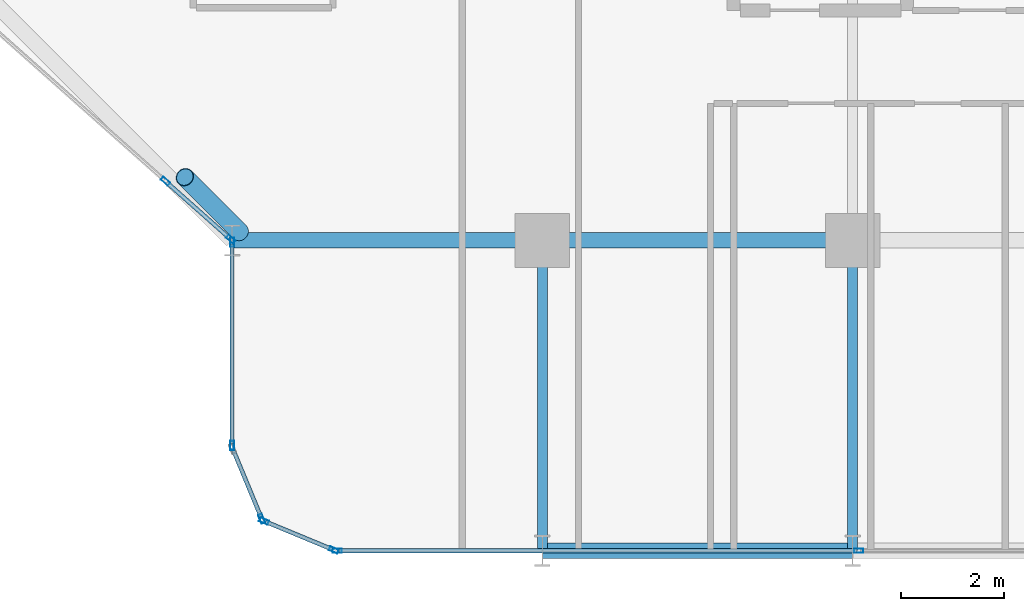
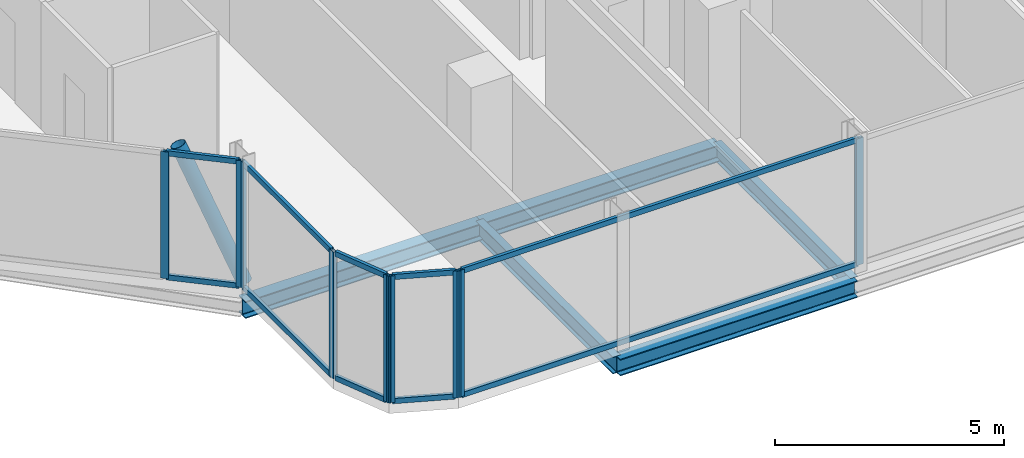
# One storey, part 4 of 29: 20 members, 5 beams, 5 elements without a shape of their own.
"""IFC4 building model written with IfcOpenShell, lengths in metres."""

from ifc_helpers import new_model, si_unit, direction, frame, origin, origin_2d, place, context, subcontext, project, spatial, hollow_rectangle, hollow_circle, i_section, extrude, material, layer, layer_set, material_profile, profile_set, type_object, element, aggregate, save


model = new_model("IFC4")

# Units and contexts
model_context = context("Model", 3, precision=1e-05, world=origin(), true_north=direction((0.0, 1.0)))
body_context = subcontext(model_context, "Body", "Model", "MODEL_VIEW")
ifc_project = project(units=[si_unit("LENGTHUNIT", "METRE"), si_unit("AREAUNIT", "SQUARE_METRE"), si_unit("VOLUMEUNIT", "CUBIC_METRE"), si_unit("PLANEANGLEUNIT", "RADIAN"), si_unit("MASSUNIT", "GRAM", prefix="KILO")], contexts=[model_context])

# Site, building, storey
site_placement = place(None, origin())
site = spatial("IfcSite", under=ifc_project, at=site_placement, CompositionType="ELEMENT")
building_placement = place(site_placement, origin())
building = spatial("IfcBuilding", under=site, at=building_placement, Name="Keshet Zoharim Tower", CompositionType="ELEMENT")
storey_placement = place(building_placement, frame((0.0, 0.0, 98.300048828125)))
storey = spatial("IfcBuildingStorey", under=building, at=storey_placement, Name="L23", CompositionType="ELEMENT", Elevation=98.300048828125)

# Beams
ifc_material_1 = material(Name="Steel S355", Category="steel")
ifc_material_profile_1 = material_profile(ifc_material_1, i_section(OverallWidth=0.18994140625, OverallDepth=0.449951171875, WebThickness=0.009521484375, FlangeThickness=0.0146484375, FilletRadius=0.02099609375, at=origin_2d()), Name="IPE450")
ifc_profile_set_1 = profile_set([ifc_material_profile_1], Name="Steel S355")
beam_type_1 = type_object("IfcBeamType", Name="BM-PRI-IP450", PredefinedType="BEAM", material=ifc_profile_set_1)
for number, where, z_axis, x_axis, name in (
    (1, (27.0, 0.699951171875, -0.5400390625), (0.0, 1.0, 0.0), (-1.0, 0.0, 0.0), "L23 Primary Girder Y-004"),
    (2, (33.0, 0.699951171875, -0.5400390625), (0.0, 1.0, 0.0), (-1.0, 0.0, 0.0), "L23 Primary Girder Y-005"),
):
    element("IfcBeam", number, at=place(storey_placement, frame(where, z_axis=z_axis, x_axis=x_axis)), inside=storey, type_object=beam_type_1, Name=name, PredefinedType="BEAM", context=body_context, shape_type="SweptSolid", body=[
        extrude(i_section(OverallWidth=0.18994140625, OverallDepth=0.449951171875, WebThickness=0.009521484375, FlangeThickness=0.0146484375, FilletRadius=0.02099609375, at=origin_2d()), origin(), (0.0, 0.0, 1.0), 6.0),
    ])
ifc_material_profile_2 = material_profile(ifc_material_1, i_section(OverallWidth=0.300048828125, OverallDepth=0.449951171875, WebThickness=0.013916015625, FlangeThickness=0.02587890625, FilletRadius=0.027099609375, at=origin_2d()), Name="HEB450")
ifc_profile_set_2 = profile_set([ifc_material_profile_2], Name="Steel S355")
beam_type_2 = type_object("IfcBeamType", Name="BM-WEB-HB450", PredefinedType="BEAM", material=ifc_profile_set_2)
for number, where, z_axis, x_axis, name in (
    (3, (27.0, 0.699951171875, -0.5400390625), (1.0, 0.0, 0.0), (0.0, 1.0, 0.0), "L23 Primary Girder X-001"),
    (4, (21.0, 6.699951171875, -0.5400390625), (1.0, 0.0, 0.0), (0.0, 1.0, 0.0), "L23 Primary Girder X-005"),
    (5, (27.0, 6.699951171875, -0.5400390625), (1.0, 0.0, 0.0), (0.0, 1.0, 0.0), "L23 Primary Girder X-006"),
):
    element("IfcBeam", number, at=place(storey_placement, frame(where, z_axis=z_axis, x_axis=x_axis)), inside=storey, type_object=beam_type_2, Name=name, PredefinedType="BEAM", context=body_context, shape_type="SweptSolid", body=[
        extrude(i_section(OverallWidth=0.300048828125, OverallDepth=0.449951171875, WebThickness=0.013916015625, FlangeThickness=0.02587890625, FilletRadius=0.027099609375, at=origin_2d()), origin(), (0.0, 0.0, 1.0), 6.0),
    ])

# Curtain wall, members
ifc_material_2 = material(Name="Aluminium 6063-T6", Category="aluminium")
ifc_layer = layer(ifc_material_2, 0.159912109375)
ifc_layer_set = layer_set([ifc_layer], Name="Aluminium 6063-T6")
curtain_wall_type = type_object("IfcCurtainWallType", Name="CW-SYS-03", PredefinedType="NOTDEFINED", material=ifc_layer_set)
curtain_wall_1_placement = place(storey_placement, origin())
curtain_wall_1 = element("IfcCurtainWall", 6, at=curtain_wall_1_placement, inside=storey, type_object=curtain_wall_type, Name="L23 Unitised Curtain Wall 03 Part 3", PredefinedType="NOTDEFINED")
ifc_material_profile_3 = material_profile(ifc_material_2, hollow_rectangle(XDim=0.080078125, YDim=0.179931640625, WallThickness=0.00439453125, at=origin_2d()), Name="MUL-80x180")
ifc_profile_set_3 = profile_set([ifc_material_profile_3], Name="Aluminium 6063-T6")
member_type_1 = type_object("IfcMemberType", Name="CWM-M18", PredefinedType="MULLION", material=ifc_profile_set_3)
member_1_placement = place(storey_placement, frame((33.11865234375, 0.699951171875, 0.0), z_axis=(0.0, 0.0, 1.0), x_axis=(0.0, -1.0, 0.0)))
member_1 = element("IfcMember", 7, at=member_1_placement, type_object=member_type_1, Name="CW-03 mullion 2", PredefinedType="MULLION", context=body_context, shape_type="SweptSolid", body=[
    extrude(hollow_rectangle(XDim=0.080078125, YDim=0.179931640625, WallThickness=0.00439453125, at=origin_2d()), origin(), (0.0, 0.0, 1.0), 3.385009765625),
])
member_2_placement = place(storey_placement, frame((23.034912109375, 0.699951171875, 0.0), z_axis=(0.0, 0.0, 1.0), x_axis=(0.0, -1.0, 0.0)))
member_2 = element("IfcMember", 8, at=member_2_placement, type_object=member_type_1, Name="CW-03 mullion 3", PredefinedType="MULLION", context=body_context, shape_type="SweptSolid", body=[
    extrude(hollow_rectangle(XDim=0.080078125, YDim=0.179931640625, WallThickness=0.00439453125, at=origin_2d()), origin(), (0.0, 0.0, 1.0), 3.385009765625),
])

curtain_wall_2_placement = place(storey_placement, origin())
curtain_wall_2 = element("IfcCurtainWall", 9, at=curtain_wall_2_placement, inside=storey, type_object=curtain_wall_type, Name="L23 Unitised Curtain Wall 04", PredefinedType="NOTDEFINED")
member_3_placement = place(storey_placement, frame((22.9677734375, 0.71337890625, 0.0), z_axis=(0.0, 0.0, 1.0), x_axis=(-0.382851849847, -0.92380975372, 0.0)))
member_3 = element("IfcMember", 10, at=member_3_placement, type_object=member_type_1, Name="CW-03 mullion 1", PredefinedType="MULLION", context=body_context, shape_type="SweptSolid", body=[
    extrude(hollow_rectangle(XDim=0.080078125, YDim=0.179931640625, WallThickness=0.00439453125, at=origin_2d()), origin(), (0.0, 0.0, 1.0), 3.385009765625),
])
member_4_placement = place(storey_placement, frame((21.618408203125, 1.272705078125, 0.0), z_axis=(0.0, 0.0, 1.0), x_axis=(-0.382851849847, -0.92380975372, 0.0)))
member_4 = element("IfcMember", 11, at=member_4_placement, type_object=member_type_1, Name="CW-03 mullion 2", PredefinedType="MULLION", context=body_context, shape_type="SweptSolid", body=[
    extrude(hollow_rectangle(XDim=0.080078125, YDim=0.179931640625, WallThickness=0.00439453125, at=origin_2d()), origin(), (0.0, 0.0, 1.0), 3.385009765625),
])

# Curtain wall, member
curtain_wall_3_placement = place(storey_placement, origin())
curtain_wall_3 = element("IfcCurtainWall", 12, at=curtain_wall_3_placement, inside=storey, type_object=curtain_wall_type, Name="L23 Unitised Curtain Wall 05", PredefinedType="NOTDEFINED")
member_5_placement = place(storey_placement, frame((21.572509765625, 1.318359375, 0.0), z_axis=(0.0, 0.0, 1.0), x_axis=(-0.92380975372, -0.382851849847, 0.0)))
member_5 = element("IfcMember", 13, at=member_5_placement, type_object=member_type_1, Name="CW-03 mullion 1", PredefinedType="MULLION", context=body_context, shape_type="SweptSolid", body=[
    extrude(hollow_rectangle(XDim=0.080078125, YDim=0.179931640625, WallThickness=0.00439453125, at=origin_2d()), origin(), (0.0, 0.0, 1.0), 3.385009765625),
])

# Curtain wall, members
curtain_wall_4_placement = place(storey_placement, origin())
curtain_wall_4 = element("IfcCurtainWall", 14, at=curtain_wall_4_placement, inside=storey, type_object=curtain_wall_type, Name="L23 Unitised Curtain Wall 06", PredefinedType="NOTDEFINED")
member_6_placement = place(storey_placement, frame((21.0, 2.735107421875, 0.0), z_axis=(0.0, 0.0, 1.0), x_axis=(-1.0, 0.0, 0.0)))
member_6 = element("IfcMember", 15, at=member_6_placement, type_object=member_type_1, Name="CW-03 mullion 1", PredefinedType="MULLION", context=body_context, shape_type="SweptSolid", body=[
    extrude(hollow_rectangle(XDim=0.080078125, YDim=0.179931640625, WallThickness=0.00439453125, at=origin_2d()), origin(), (0.0, 0.0, 1.0), 3.385009765625),
])
member_7_placement = place(storey_placement, frame((21.0, 6.6650390625, 0.0), z_axis=(0.0, 0.0, 1.0), x_axis=(-1.0, 0.0, 0.0)))
member_7 = element("IfcMember", 16, at=member_7_placement, type_object=member_type_1, Name="CW-03 mullion 2", PredefinedType="MULLION", context=body_context, shape_type="SweptSolid", body=[
    extrude(hollow_rectangle(XDim=0.080078125, YDim=0.179931640625, WallThickness=0.00439453125, at=origin_2d()), origin(), (0.0, 0.0, 1.0), 3.385009765625),
])

curtain_wall_5_placement = place(storey_placement, origin())
curtain_wall_5 = element("IfcCurtainWall", 17, at=curtain_wall_5_placement, inside=storey, type_object=curtain_wall_type, Name="L23 Unitised Curtain Wall 07", PredefinedType="NOTDEFINED")
member_8_placement = place(storey_placement, frame((20.973876953125, 6.72314453125, 0.0), z_axis=(0.0, 0.0, 1.0), x_axis=(-0.664360312857, -0.747412452867, 0.0)))
member_8 = element("IfcMember", 18, at=member_8_placement, type_object=member_type_1, Name="CW-03 mullion 1", PredefinedType="MULLION", context=body_context, shape_type="SweptSolid", body=[
    extrude(hollow_rectangle(XDim=0.080078125, YDim=0.179931640625, WallThickness=0.00439453125, at=origin_2d()), origin(), (0.0, 0.0, 1.0), 3.385009765625),
])
member_9_placement = place(storey_placement, frame((19.71044921875, 7.84619140625, 0.0), z_axis=(0.0, 0.0, 1.0), x_axis=(-0.664360312857, -0.747412452867, 0.0)))
member_9 = element("IfcMember", 19, at=member_9_placement, type_object=member_type_1, Name="CW-03 mullion 2", PredefinedType="MULLION", context=body_context, shape_type="SweptSolid", body=[
    extrude(hollow_rectangle(XDim=0.080078125, YDim=0.179931640625, WallThickness=0.00439453125, at=origin_2d()), origin(), (0.0, 0.0, 1.0), 3.385009765625),
])

# Member
ifc_material_profile_4 = material_profile(ifc_material_2, hollow_rectangle(XDim=0.080078125, YDim=0.139892578125, WallThickness=0.00390625, at=origin_2d()), Name="TRN-80x140")
ifc_profile_set_4 = profile_set([ifc_material_profile_4], Name="Aluminium 6063-T6")
member_type_2 = type_object("IfcMemberType", Name="CWT-T14", PredefinedType="USERDEFINED", material=ifc_profile_set_4)
member_10_placement = place(storey_placement, frame((33.083740234375, 0.699951171875, 0.034912109375), z_axis=(-1.0, 0.0, 0.0), x_axis=(0.0, -1.0, 0.0)))
member_10 = element("IfcMember", 20, at=member_10_placement, type_object=member_type_2, Name="CW-03 transom 2.1", ObjectType="TRANSOM", PredefinedType="USERDEFINED", context=body_context, shape_type="SweptSolid", body=[
    extrude(hollow_rectangle(XDim=0.080078125, YDim=0.139892578125, WallThickness=0.00390625, at=origin_2d()), origin(), (0.0, 0.0, 1.0), 10.013671875),
])

member_11_placement = place(storey_placement, frame((33.083740234375, 0.699951171875, 3.349853515625), z_axis=(-1.0, 0.0, 0.0), x_axis=(0.0, -1.0, 0.0)))
member_11 = element("IfcMember", 21, at=member_11_placement, type_object=member_type_2, Name="CW-03 transom 2.2", ObjectType="TRANSOM", PredefinedType="USERDEFINED", context=body_context, shape_type="SweptSolid", body=[
    extrude(hollow_rectangle(XDim=0.080078125, YDim=0.139892578125, WallThickness=0.00390625, at=origin_2d()), origin(), (0.0, 0.0, 1.0), 10.013671875),
])

aggregate(curtain_wall_1, [member_1, member_2, member_10, member_11])

member_12_placement = place(storey_placement, frame((22.935302734375, 0.726806640625, 0.034912109375), z_axis=(-0.92379209995, 0.382894445076, 0.0), x_axis=(-0.382894445076, -0.92379209995, 0.0)))
member_12 = element("IfcMember", 22, at=member_12_placement, type_object=member_type_2, Name="CW-03 transom 1.1", ObjectType="TRANSOM", PredefinedType="USERDEFINED", context=body_context, shape_type="SweptSolid", body=[
    extrude(hollow_rectangle(XDim=0.080078125, YDim=0.139892578125, WallThickness=0.00390625, at=origin_2d()), origin(), (0.0, 0.0, 1.0), 1.390625),
])

member_13_placement = place(storey_placement, frame((22.935302734375, 0.726806640625, 3.349853515625), z_axis=(-0.92379209995, 0.382894445076, 0.0), x_axis=(-0.382894445076, -0.92379209995, 0.0)))
member_13 = element("IfcMember", 23, at=member_13_placement, type_object=member_type_2, Name="CW-03 transom 1.2", ObjectType="TRANSOM", PredefinedType="USERDEFINED", context=body_context, shape_type="SweptSolid", body=[
    extrude(hollow_rectangle(XDim=0.080078125, YDim=0.139892578125, WallThickness=0.00390625, at=origin_2d()), origin(), (0.0, 0.0, 1.0), 1.390625),
])

aggregate(curtain_wall_2, [member_3, member_4, member_12, member_13])

member_14_placement = place(storey_placement, frame((21.55908203125, 1.3505859375, 0.034912109375), z_axis=(-0.382744609247, 0.923854189844, 0.0), x_axis=(-0.923854189844, -0.382744609247, 0.0)))
member_14 = element("IfcMember", 24, at=member_14_placement, type_object=member_type_2, Name="CW-03 transom 1.1", ObjectType="TRANSOM", PredefinedType="USERDEFINED", context=body_context, shape_type="SweptSolid", body=[
    extrude(hollow_rectangle(XDim=0.080078125, YDim=0.139892578125, WallThickness=0.00390625, at=origin_2d()), origin(), (0.0, 0.0, 1.0), 1.390625),
])

member_15_placement = place(storey_placement, frame((21.55908203125, 1.3505859375, 3.349853515625), z_axis=(-0.382744609247, 0.923854189844, 0.0), x_axis=(-0.923854189844, -0.382744609247, 0.0)))
member_15 = element("IfcMember", 25, at=member_15_placement, type_object=member_type_2, Name="CW-03 transom 1.2", ObjectType="TRANSOM", PredefinedType="USERDEFINED", context=body_context, shape_type="SweptSolid", body=[
    extrude(hollow_rectangle(XDim=0.080078125, YDim=0.139892578125, WallThickness=0.00390625, at=origin_2d()), origin(), (0.0, 0.0, 1.0), 1.390625),
])

aggregate(curtain_wall_3, [member_5, member_14, member_15])

member_16_placement = place(storey_placement, frame((21.0, 2.77001953125, 0.034912109375), z_axis=(0.0, 1.0, 0.0), x_axis=(-1.0, 0.0, 0.0)))
member_16 = element("IfcMember", 26, at=member_16_placement, type_object=member_type_2, Name="CW-03 transom 1.1", ObjectType="TRANSOM", PredefinedType="USERDEFINED", context=body_context, shape_type="SweptSolid", body=[
    extrude(hollow_rectangle(XDim=0.080078125, YDim=0.139892578125, WallThickness=0.00390625, at=origin_2d()), origin(), (0.0, 0.0, 1.0), 3.85986328125),
])

member_17_placement = place(storey_placement, frame((21.0, 2.77001953125, 3.349853515625), z_axis=(0.0, 1.0, 0.0), x_axis=(-1.0, 0.0, 0.0)))
member_17 = element("IfcMember", 27, at=member_17_placement, type_object=member_type_2, Name="CW-03 transom 1.2", ObjectType="TRANSOM", PredefinedType="USERDEFINED", context=body_context, shape_type="SweptSolid", body=[
    extrude(hollow_rectangle(XDim=0.080078125, YDim=0.139892578125, WallThickness=0.00390625, at=origin_2d()), origin(), (0.0, 0.0, 1.0), 3.85986328125),
])

aggregate(curtain_wall_4, [member_6, member_7, member_16, member_17])

member_18_placement = place(storey_placement, frame((20.94775390625, 6.74658203125, 0.034912109375), z_axis=(-0.747467505114, 0.664298373322, 0.0), x_axis=(-0.664298373322, -0.747467505114, 0.0)))
member_18 = element("IfcMember", 28, at=member_18_placement, type_object=member_type_2, Name="CW-03 transom 1.1", ObjectType="TRANSOM", PredefinedType="USERDEFINED", context=body_context, shape_type="SweptSolid", body=[
    extrude(hollow_rectangle(XDim=0.080078125, YDim=0.139892578125, WallThickness=0.00390625, at=origin_2d()), origin(), (0.0, 0.0, 1.0), 1.620361328125),
])

member_19_placement = place(storey_placement, frame((20.94775390625, 6.74658203125, 3.349853515625), z_axis=(-0.747467505114, 0.664298373322, 0.0), x_axis=(-0.664298373322, -0.747467505114, 0.0)))
member_19 = element("IfcMember", 29, at=member_19_placement, type_object=member_type_2, Name="CW-03 transom 1.2", ObjectType="TRANSOM", PredefinedType="USERDEFINED", context=body_context, shape_type="SweptSolid", body=[
    extrude(hollow_rectangle(XDim=0.080078125, YDim=0.139892578125, WallThickness=0.00390625, at=origin_2d()), origin(), (0.0, 0.0, 1.0), 1.620361328125),
])

aggregate(curtain_wall_5, [member_8, member_9, member_18, member_19])

ifc_material_profile_5 = material_profile(ifc_material_1, hollow_circle(Radius=0.177734375, WallThickness=0.012451171875, at=origin_2d()), Name="CHS355x12.5")
ifc_profile_set_5 = profile_set([ifc_material_profile_5], Name="Steel S355")
member_type_3 = type_object("IfcMemberType", Name="MB-BR-C355", PredefinedType="BRACE", material=ifc_profile_set_5)
member_20_placement = place(storey_placement, frame((21.14599609375, 6.864013671875, 0.0), z_axis=(-0.286558246199, 0.286558246199, 0.914203884848), x_axis=(-0.707106781187, -0.707106781187, 0.0)))
element("IfcMember", 30, at=member_20_placement, inside=storey, type_object=member_type_3, Name="L23 Perimeter Tube Brace 01", PredefinedType="BRACE", context=body_context, shape_type="SweptSolid", body=[
    extrude(hollow_circle(Radius=0.177734375, WallThickness=0.012451171875, at=origin_2d()), origin(), (0.0, 0.0, 1.0), 3.70263671875),
])

save(model, "model.ifc")
